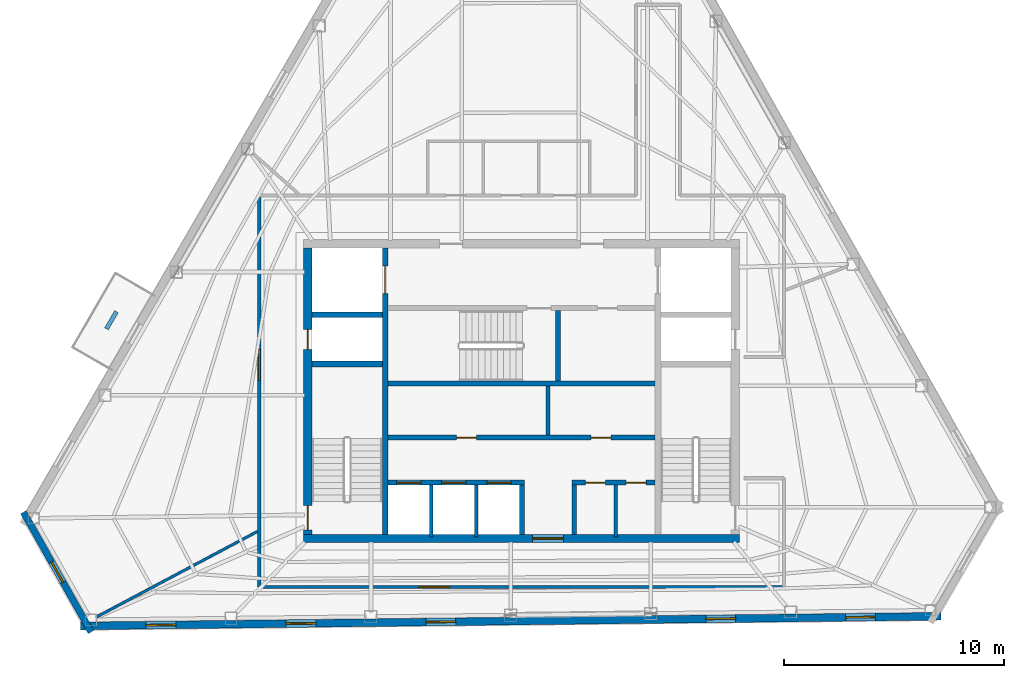
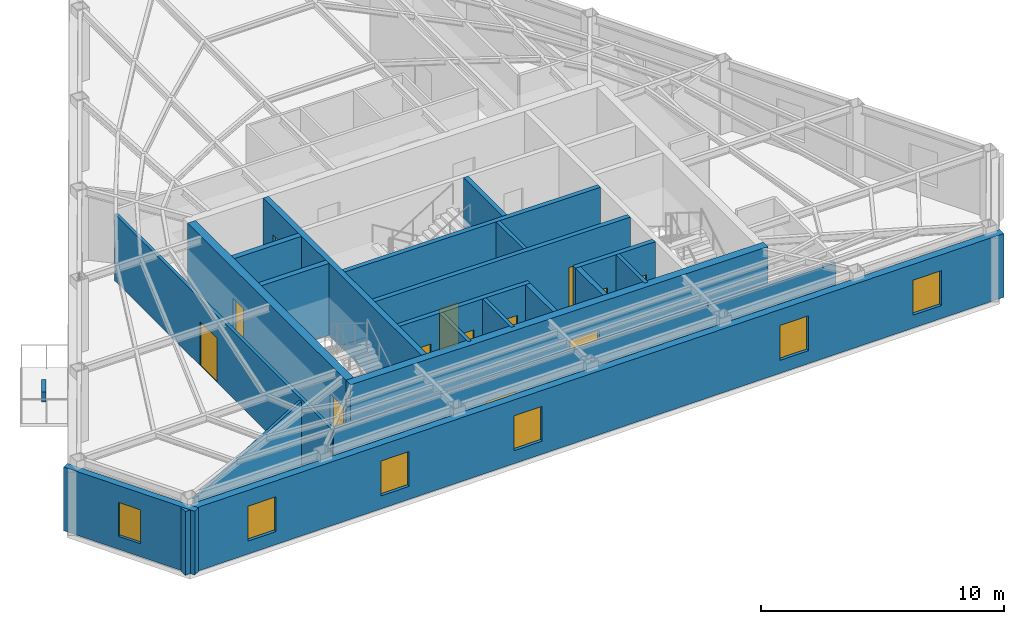
# One storey, part 6 of 10: 22 walls, 13 doors, 6 windows, 19 openings.
"""IFC4 building model written with IfcOpenShell, lengths in metres."""

from ifc_helpers import new_model, si_unit, direction, frame, frame_2d, origin, place, context, subcontext, project, spatial, rectangle, extrude, material, layer, layer_set, type_object, element, fill, save


model = new_model("IFC4")

# Units and contexts
model_context = context("Model", 3, precision=1e-05, world=origin(), true_north=direction((0.0, 1.0)))
body_context = subcontext(model_context, "Body", "Model", "MODEL_VIEW")
ifc_project = project(units=[si_unit("LENGTHUNIT", "METRE"), si_unit("AREAUNIT", "SQUARE_METRE"), si_unit("VOLUMEUNIT", "CUBIC_METRE"), si_unit("PLANEANGLEUNIT", "RADIAN"), si_unit("MASSUNIT", "GRAM", prefix="KILO")], contexts=[model_context])

# Site, building, storey
site_placement = place(None, origin())
site = spatial("IfcSite", under=ifc_project, at=site_placement, CompositionType="ELEMENT")
building_placement = place(site_placement, origin())
building = spatial("IfcBuilding", under=site, at=building_placement, Name="Kavelnor Concourse Tower", CompositionType="ELEMENT")
storey_placement = place(building_placement, frame((0.0, 0.0, 293.39990234375)))
storey = spatial("IfcBuildingStorey", under=building, at=storey_placement, Name="L74", CompositionType="ELEMENT", Elevation=293.39990234375)

# Wall, opening, door
ifc_material_1 = material(Name="Concrete C50/60", Category="concrete")
ifc_layer_1 = layer(ifc_material_1, 0.3798828125, Name="Concrete C50/60")
ifc_layer_set_1 = layer_set([ifc_layer_1], Name="Concrete C50/60")
wall_type_1 = type_object("IfcWallType", Name="WL-CORE-Z4-380", PredefinedType="SOLIDWALL", material=ifc_layer_set_1)
wall_1_placement = place(storey_placement, frame((28.10009765625, 9.409912109375, 0.0), z_axis=(0.0, 0.0, 1.0), x_axis=(1.0, 0.0, 0.0)))
wall_1 = element("IfcWall", 1, at=wall_1_placement, inside=storey, type_object=wall_type_1, Name="L74 Central Core South Shear Wall", PredefinedType="SOLIDWALL", context=body_context, shape_type="SweptSolid", body=[
    extrude(rectangle(XDim=19.7998046875, YDim=0.3798828125, at=frame_2d((9.89990234375, 0.0))), origin(), (0.0, 0.0, 1.0), 3.610107421875),
])
opening_1_placement = place(wall_1_placement, frame((10.39990234375, 0.0, 0.0)))
opening_1 = element("IfcOpeningElement", 2, at=opening_1_placement, cuts=wall_1, Name="Opening SD-140", PredefinedType="OPENING", context=body_context, shape_type="SweptSolid", body=[
    extrude(rectangle(XDim=1.39990234375, YDim=2.199951171875, at=frame_2d((0.699951171875, 1.10009765625))), frame((0.0, 0.199951171875, 0.0), z_axis=(0.0, -1.0, 0.0), x_axis=(1.0, 0.0, 0.0)), (0.0, 0.0, 1.0), 0.39990234375),
])
ifc_material_2 = material(Name="Solid-core hardwood timber", Category="wood")
door_type_1 = type_object("IfcDoorType", Name="DR-SUITE-ENTRY-1400", OperationType="NOTDEFINED", PredefinedType="DOOR", material=ifc_material_2)
door_1_placement = place(opening_1_placement, origin())
door_1 = element("IfcDoor", 3, at=door_1_placement, inside=storey, type_object=door_type_1, Name="L74 Passenger Lift Lobby Entry Door", OperationType="SINGLE_SWING_LEFT", OverallHeight=2.199951171875, OverallWidth=1.39990234375, PredefinedType="DOOR", context=body_context, shape_type="SweptSolid", body=[
    extrude(rectangle(XDim=1.39990234375, YDim=2.199951171875, at=frame_2d((0.699951171875, 1.10009765625))), frame((0.0, 0.02490234375, 0.0), z_axis=(0.0, -1.0, 0.0), x_axis=(1.0, 0.0, 0.0)), (0.0, 0.0, 1.0), 0.050048828125),
])
fill(opening_1, door_1)

# Wall, openings, doors
wall_2_placement = place(storey_placement, frame((28.2900390625, 9.60009765625, 0.0), z_axis=(0.0, 0.0, 1.0), x_axis=(0.0, 1.0, 0.0)))
wall_2 = element("IfcWall", 4, at=wall_2_placement, inside=storey, type_object=wall_type_1, Name="L74 Central Core West Shear Wall", PredefinedType="SOLIDWALL", context=body_context, shape_type="SweptSolid", body=[
    extrude(rectangle(XDim=13.0, YDim=0.3798828125, at=frame_2d((6.5, 0.0))), origin(), (0.0, 0.0, 1.0), 3.610107421875),
])
opening_2_placement = place(wall_2_placement, frame((0.199951171875, 0.0, 0.0)))
opening_2 = element("IfcOpeningElement", 5, at=opening_2_placement, cuts=wall_2, Name="Opening FD-110", PredefinedType="OPENING", context=body_context, shape_type="SweptSolid", body=[
    extrude(rectangle(XDim=1.10009765625, YDim=2.14990234375, at=frame_2d((0.550048828125, 1.074951171875))), frame((0.0, 0.199951171875, 0.0), z_axis=(0.0, -1.0, 0.0), x_axis=(1.0, 0.0, 0.0)), (0.0, 0.0, 1.0), 0.39990234375),
])
opening_3_placement = place(wall_2_placement, frame((8.39990234375, 0.0, 0.0)))
opening_3 = element("IfcOpeningElement", 6, at=opening_3_placement, cuts=wall_2, Name="Opening FD-090", PredefinedType="OPENING", context=body_context, shape_type="SweptSolid", body=[
    extrude(rectangle(XDim=0.89990234375, YDim=2.10009765625, at=frame_2d((0.449951171875, 1.050048828125))), frame((0.0, 0.199951171875, 0.0), z_axis=(0.0, -1.0, 0.0), x_axis=(1.0, 0.0, 0.0)), (0.0, 0.0, 1.0), 0.39990234375),
])
ifc_material_3 = material(Name="Steel Grade 350", Category="steel")
door_type_2 = type_object("IfcDoorType", Name="DR-RISER-FIRE-900", OperationType="NOTDEFINED", PredefinedType="DOOR", material=ifc_material_3)
door_2_placement = place(opening_3_placement, origin())
door_2 = element("IfcDoor", 7, at=door_2_placement, inside=storey, type_object=door_type_2, Name="L74 West Riser Access Door", OperationType="SINGLE_SWING_RIGHT", OverallHeight=2.10009765625, OverallWidth=0.89990234375, PredefinedType="DOOR", context=body_context, shape_type="SweptSolid", body=[
    extrude(rectangle(XDim=0.89990234375, YDim=2.10009765625, at=frame_2d((0.449951171875, 1.050048828125))), frame((0.0, 0.02490234375, 0.0), z_axis=(0.0, -1.0, 0.0), x_axis=(1.0, 0.0, 0.0)), (0.0, 0.0, 1.0), 0.050048828125),
])
fill(opening_3, door_2)
door_type_3 = type_object("IfcDoorType", Name="DR-STAIR-FIRE-1100", OperationType="NOTDEFINED", PredefinedType="DOOR", material=ifc_material_3)
door_3_placement = place(opening_2_placement, origin())
door_3 = element("IfcDoor", 8, at=door_3_placement, inside=storey, type_object=door_type_3, Name="L74 Stair ST1 Fire Door", OperationType="SINGLE_SWING_LEFT", OverallHeight=2.14990234375, OverallWidth=1.10009765625, PredefinedType="DOOR", context=body_context, shape_type="SweptSolid", body=[
    extrude(rectangle(XDim=1.10009765625, YDim=2.14990234375, at=frame_2d((0.550048828125, 1.074951171875))), frame((0.0, 0.02490234375, 0.0), z_axis=(0.0, -1.0, 0.0), x_axis=(1.0, 0.0, 0.0)), (0.0, 0.0, 1.0), 0.050048828125),
])
fill(opening_2, door_3)

# Wall, opening, window
ifc_material_4 = material(Name="Buff ironspot clay face brick masonry", Category="masonry")
ifc_layer_2 = layer(ifc_material_4, 0.300048828125, Name="Buff ironspot clay face brick masonry")
ifc_layer_set_2 = layer_set([ifc_layer_2], Name="Buff ironspot clay face brick masonry")
wall_type_2 = type_object("IfcWallType", Name="WL-EXT-BUFF-BRICK-FOLD-300", PredefinedType="STANDARD", material=ifc_layer_set_2)
wall_3_placement = place(storey_placement, frame((18.456787109375, 5.162109375, 0.0), z_axis=(0.0, 0.0, 1.0), x_axis=(-0.491610610245, 0.870815139909, 0.0)))
wall_3 = element("IfcWall", 9, at=wall_3_placement, inside=storey, type_object=wall_type_2, Name="L74 Exterior Brick Facade Wall E2", PredefinedType="STANDARD", context=body_context, shape_type="SweptSolid", body=[
    extrude(rectangle(XDim=6.2509765625, YDim=0.300048828125, at=frame_2d((3.12548828125, 0.0))), origin(), (0.0, 0.0, 1.0), 3.196044921875),
])
opening_4_placement = place(wall_3_placement, frame((2.600341796875, 0.0, 0.64990234375)))
opening_4 = element("IfcOpeningElement", 10, at=opening_4_placement, cuts=wall_3, Name="Opening W-06", PredefinedType="OPENING", context=body_context, shape_type="SweptSolid", body=[
    extrude(rectangle(XDim=1.050048828125, YDim=1.699951171875, at=frame_2d((0.52490234375, 0.85009765625))), frame((0.0, 0.16015625, 0.0), z_axis=(0.0, -1.0, 0.0), x_axis=(1.0, 0.0, 0.0)), (0.0, 0.0, 1.0), 0.320068359375),
])
ifc_material_5 = material(Name="Double low-E argon insulated glazing", Category="glass")
window_type_1 = type_object("IfcWindowType", Name="WIN-FOLD-1050", PartitioningType="SINGLE_PANEL", PredefinedType="WINDOW", material=ifc_material_5)
window_1_placement = place(opening_4_placement, origin())
window_1 = element("IfcWindow", 11, at=window_1_placement, inside=storey, type_object=window_type_1, Name="L74 Chamfer-Fold Facet Window C1", OverallHeight=1.699951171875, OverallWidth=1.050048828125, PartitioningType="SINGLE_PANEL", PredefinedType="WINDOW", context=body_context, shape_type="SweptSolid", body=[
    extrude(rectangle(XDim=1.050048828125, YDim=1.699951171875, at=frame_2d((0.52490234375, 0.85009765625))), frame((0.0, 0.030029296875, 0.0), z_axis=(0.0, -1.0, 0.0), x_axis=(1.0, 0.0, 0.0)), (0.0, 0.0, 1.0), 0.06005859375),
])
fill(opening_4, window_1)

# Wall, openings, windows
ifc_material_6 = material(Name="Red-ochre clay face brick masonry", Category="masonry")
ifc_layer_3 = layer(ifc_material_6, 0.35009765625, Name="Red-ochre clay face brick masonry")
ifc_layer_set_3 = layer_set([ifc_layer_3], Name="Red-ochre clay face brick masonry")
wall_type_3 = type_object("IfcWallType", Name="WL-EXT-RED-BRICK-PIER-350", PredefinedType="STANDARD", material=ifc_layer_set_3)
wall_4_placement = place(storey_placement, frame((57.04248046875, 5.879150390625, 0.0), z_axis=(0.0, 0.0, 1.0), x_axis=(-0.999937026894, -0.011222399347, 0.0)))
wall_4 = element("IfcWall", 12, at=wall_4_placement, inside=storey, type_object=wall_type_3, Name="L74 Exterior Brick Facade Wall E3", PredefinedType="STANDARD", context=body_context, shape_type="SweptSolid", body=[
    extrude(rectangle(XDim=39.071533203125, YDim=0.35009765625, at=frame_2d((19.53564453125, 0.0))), origin(), (0.0, 0.0, 1.0), 3.196044921875),
])
opening_5_placement = place(wall_4_placement, frame((34.736572265625, 0.0, 0.64990234375)))
opening_5 = element("IfcOpeningElement", 13, at=opening_5_placement, cuts=wall_4, Name="Opening W-04", PredefinedType="OPENING", context=body_context, shape_type="SweptSolid", body=[
    extrude(rectangle(XDim=1.35009765625, YDim=1.75, at=frame_2d((0.675048828125, 0.875))), frame((0.0, 0.18505859375, 0.0), z_axis=(0.0, -1.0, 0.0), x_axis=(1.0, 0.0, 0.0)), (0.0, 0.0, 1.0), 0.3701171875),
])
opening_6_placement = place(wall_4_placement, frame((28.384033203125, 0.0, 0.64990234375)))
opening_6 = element("IfcOpeningElement", 14, at=opening_6_placement, cuts=wall_4, Name="Opening W-04", PredefinedType="OPENING", context=body_context, shape_type="SweptSolid", body=[
    extrude(rectangle(XDim=1.35009765625, YDim=1.75, at=frame_2d((0.675048828125, 0.875))), frame((0.0, 0.18505859375, 0.0), z_axis=(0.0, -1.0, 0.0), x_axis=(1.0, 0.0, 0.0)), (0.0, 0.0, 1.0), 0.3701171875),
])
opening_7_placement = place(wall_4_placement, frame((22.031494140625, 0.0, 0.64990234375)))
opening_7 = element("IfcOpeningElement", 15, at=opening_7_placement, cuts=wall_4, Name="Opening W-04", PredefinedType="OPENING", context=body_context, shape_type="SweptSolid", body=[
    extrude(rectangle(XDim=1.35009765625, YDim=1.75, at=frame_2d((0.675048828125, 0.875))), frame((0.0, 0.18505859375, 0.0), z_axis=(0.0, -1.0, 0.0), x_axis=(1.0, 0.0, 0.0)), (0.0, 0.0, 1.0), 0.3701171875),
])
opening_8_placement = place(wall_4_placement, frame((9.32666015625, 0.0, 0.64990234375)))
opening_8 = element("IfcOpeningElement", 16, at=opening_8_placement, cuts=wall_4, Name="Opening W-04", PredefinedType="OPENING", context=body_context, shape_type="SweptSolid", body=[
    extrude(rectangle(XDim=1.35009765625, YDim=1.75, at=frame_2d((0.675048828125, 0.875))), frame((0.0, 0.18505859375, 0.0), z_axis=(0.0, -1.0, 0.0), x_axis=(1.0, 0.0, 0.0)), (0.0, 0.0, 1.0), 0.3701171875),
])
opening_9_placement = place(wall_4_placement, frame((2.974365234375, 0.0, 0.64990234375)))
opening_9 = element("IfcOpeningElement", 17, at=opening_9_placement, cuts=wall_4, Name="Opening W-04", PredefinedType="OPENING", context=body_context, shape_type="SweptSolid", body=[
    extrude(rectangle(XDim=1.35009765625, YDim=1.75, at=frame_2d((0.675048828125, 0.875))), frame((0.0, 0.18505859375, 0.0), z_axis=(0.0, -1.0, 0.0), x_axis=(1.0, 0.0, 0.0)), (0.0, 0.0, 1.0), 0.3701171875),
])
window_type_2 = type_object("IfcWindowType", Name="WIN-PIER-Z4-1350", PartitioningType="SINGLE_PANEL", PredefinedType="WINDOW", material=ifc_material_5)
window_2_placement = place(opening_5_placement, origin())
window_2 = element("IfcWindow", 18, at=window_2_placement, inside=storey, type_object=window_type_2, Name="L74 Deep-Set Brick Pier Window F1-B0", OverallHeight=1.75, OverallWidth=1.35009765625, PartitioningType="SINGLE_PANEL", PredefinedType="WINDOW", context=body_context, shape_type="SweptSolid", body=[
    extrude(rectangle(XDim=1.35009765625, YDim=1.75, at=frame_2d((0.675048828125, 0.875))), frame((0.0, 0.030029296875, 0.0), z_axis=(0.0, -1.0, 0.0), x_axis=(1.0, 0.0, 0.0)), (0.0, 0.0, 1.0), 0.06005859375),
])
fill(opening_5, window_2)
window_3_placement = place(opening_6_placement, origin())
window_3 = element("IfcWindow", 19, at=window_3_placement, inside=storey, type_object=window_type_2, Name="L74 Deep-Set Brick Pier Window F1-B1", OverallHeight=1.75, OverallWidth=1.35009765625, PartitioningType="SINGLE_PANEL", PredefinedType="WINDOW", context=body_context, shape_type="SweptSolid", body=[
    extrude(rectangle(XDim=1.35009765625, YDim=1.75, at=frame_2d((0.675048828125, 0.875))), frame((0.0, 0.030029296875, 0.0), z_axis=(0.0, -1.0, 0.0), x_axis=(1.0, 0.0, 0.0)), (0.0, 0.0, 1.0), 0.06005859375),
])
fill(opening_6, window_3)
window_4_placement = place(opening_7_placement, origin())
window_4 = element("IfcWindow", 20, at=window_4_placement, inside=storey, type_object=window_type_2, Name="L74 Deep-Set Brick Pier Window F1-B2", OverallHeight=1.75, OverallWidth=1.35009765625, PartitioningType="SINGLE_PANEL", PredefinedType="WINDOW", context=body_context, shape_type="SweptSolid", body=[
    extrude(rectangle(XDim=1.35009765625, YDim=1.75, at=frame_2d((0.675048828125, 0.875))), frame((0.0, 0.030029296875, 0.0), z_axis=(0.0, -1.0, 0.0), x_axis=(1.0, 0.0, 0.0)), (0.0, 0.0, 1.0), 0.06005859375),
])
fill(opening_7, window_4)
window_5_placement = place(opening_8_placement, origin())
window_5 = element("IfcWindow", 21, at=window_5_placement, inside=storey, type_object=window_type_2, Name="L74 Deep-Set Brick Pier Window F1-B4", OverallHeight=1.75, OverallWidth=1.35009765625, PartitioningType="SINGLE_PANEL", PredefinedType="WINDOW", context=body_context, shape_type="SweptSolid", body=[
    extrude(rectangle(XDim=1.35009765625, YDim=1.75, at=frame_2d((0.675048828125, 0.875))), frame((0.0, 0.030029296875, 0.0), z_axis=(0.0, -1.0, 0.0), x_axis=(1.0, 0.0, 0.0)), (0.0, 0.0, 1.0), 0.06005859375),
])
fill(opening_8, window_5)
window_6_placement = place(opening_9_placement, origin())
window_6 = element("IfcWindow", 22, at=window_6_placement, inside=storey, type_object=window_type_2, Name="L74 Deep-Set Brick Pier Window F1-B5", OverallHeight=1.75, OverallWidth=1.35009765625, PartitioningType="SINGLE_PANEL", PredefinedType="WINDOW", context=body_context, shape_type="SweptSolid", body=[
    extrude(rectangle(XDim=1.35009765625, YDim=1.75, at=frame_2d((0.675048828125, 0.875))), frame((0.0, 0.030029296875, 0.0), z_axis=(0.0, -1.0, 0.0), x_axis=(1.0, 0.0, 0.0)), (0.0, 0.0, 1.0), 0.06005859375),
])
fill(opening_9, window_6)

# Wall, opening, door
ifc_material_7 = material(Name="Gypsum plasterboard on light-gauge steel studs", Category="steel")
ifc_layer_4 = layer(ifc_material_7, 0.14501953125, Name="Gypsum plasterboard on light-gauge steel studs")
ifc_layer_set_4 = layer_set([ifc_layer_4], Name="Gypsum plasterboard on light-gauge steel studs")
wall_type_4 = type_object("IfcWallType", Name="WL-INT-CORR-145", PredefinedType="PARTITIONING", material=ifc_layer_set_4)
wall_5_placement = place(storey_placement, frame((49.909912109375, 7.2099609375, 0.0), z_axis=(0.0, 0.0, 1.0), x_axis=(-1.0, 0.0, 0.0)))
wall_5 = element("IfcWall", 23, at=wall_5_placement, inside=storey, type_object=wall_type_4, Name="L74 Corridor Wall WL-L74-CR-09", PredefinedType="PARTITIONING", context=body_context, shape_type="SweptSolid", body=[
    extrude(rectangle(XDim=23.81982421875, YDim=0.14501953125, at=frame_2d((11.909912109375, 0.0))), origin(), (0.0, 0.0, 1.0), 3.34912109375),
])
opening_10_placement = place(wall_5_placement, frame((15.169921875, 0.0, 0.0)))
opening_10 = element("IfcOpeningElement", 24, at=opening_10_placement, cuts=wall_5, Name="Opening SD-140", PredefinedType="OPENING", context=body_context, shape_type="SweptSolid", body=[
    extrude(rectangle(XDim=1.39990234375, YDim=2.199951171875, at=frame_2d((0.699951171875, 1.10009765625))), frame((0.0, 0.08251953125, 0.0), z_axis=(0.0, -1.0, 0.0), x_axis=(1.0, 0.0, 0.0)), (0.0, 0.0, 1.0), 0.1650390625),
])
door_4_placement = place(opening_10_placement, origin())
door_4 = element("IfcDoor", 25, at=door_4_placement, inside=storey, type_object=door_type_1, Name="L74 Workplace Open Office 03 Door", OperationType="SINGLE_SWING_RIGHT", OverallHeight=2.199951171875, OverallWidth=1.39990234375, PredefinedType="DOOR", context=body_context, shape_type="SweptSolid", body=[
    extrude(rectangle(XDim=1.39990234375, YDim=2.199951171875, at=frame_2d((0.699951171875, 1.10009765625))), frame((0.0, 0.02490234375, 0.0), z_axis=(0.0, -1.0, 0.0), x_axis=(1.0, 0.0, 0.0)), (0.0, 0.0, 1.0), 0.050048828125),
])
fill(opening_10, door_4)

wall_6_placement = place(storey_placement, frame((26.090087890625, 7.2099609375, 0.0), z_axis=(0.0, 0.0, 1.0), x_axis=(0.0, 1.0, 0.0)))
wall_6 = element("IfcWall", 26, at=wall_6_placement, inside=storey, type_object=wall_type_4, Name="L74 Corridor Wall WL-L74-CR-10", PredefinedType="PARTITIONING", context=body_context, shape_type="SweptSolid", body=[
    extrude(rectangle(XDim=17.780029296875, YDim=0.14501953125, at=frame_2d((8.89013671875, 0.0))), origin(), (0.0, 0.0, 1.0), 3.34912109375),
])
opening_11_placement = place(wall_6_placement, frame((9.374267578125, 0.0, 0.0)))
opening_11 = element("IfcOpeningElement", 27, at=opening_11_placement, cuts=wall_6, Name="Opening SD-140", PredefinedType="OPENING", context=body_context, shape_type="SweptSolid", body=[
    extrude(rectangle(XDim=1.39990234375, YDim=2.199951171875, at=frame_2d((0.699951171875, 1.10009765625))), frame((0.0, 0.08251953125, 0.0), z_axis=(0.0, -1.0, 0.0), x_axis=(1.0, 0.0, 0.0)), (0.0, 0.0, 1.0), 0.1650390625),
])
door_5_placement = place(opening_11_placement, origin())
door_5 = element("IfcDoor", 28, at=door_5_placement, inside=storey, type_object=door_type_1, Name="L74 Tenant Bookstore Retail Shop 02 Door", OperationType="SINGLE_SWING_LEFT", OverallHeight=2.199951171875, OverallWidth=1.39990234375, PredefinedType="DOOR", context=body_context, shape_type="SweptSolid", body=[
    extrude(rectangle(XDim=1.39990234375, YDim=2.199951171875, at=frame_2d((0.699951171875, 1.10009765625))), frame((0.0, 0.02490234375, 0.0), z_axis=(0.0, -1.0, 0.0), x_axis=(1.0, 0.0, 0.0)), (0.0, 0.0, 1.0), 0.050048828125),
])
fill(opening_11, door_5)

# Walls
ifc_layer_5 = layer(ifc_material_7, 0.1650390625, Name="Gypsum plasterboard on light-gauge steel studs")
ifc_layer_set_5 = layer_set([ifc_layer_5], Name="Gypsum plasterboard on light-gauge steel studs")
wall_type_5 = type_object("IfcWallType", Name="WL-INT-FIRE-165", PredefinedType="PARTITIONING", material=ifc_layer_set_5)
for number, where, z_axis, x_axis, name in (
    (29, (33.89990234375, 9.489990234375, 0.0), (0.0, 0.0, 1.0), (0.0, 1.0, 0.0), "L74 Lift Shaft Divider LP7"),
    (30, (35.949951171875, 9.489990234375, 0.0), (0.0, 0.0, 1.0), (0.0, 1.0, 0.0), "L74 Lift Shaft Divider LP8"),
):
    element("IfcWall", number, at=place(storey_placement, frame(where, z_axis=z_axis, x_axis=x_axis)), inside=storey, type_object=wall_type_5, Name=name, PredefinedType="PARTITIONING", context=body_context, shape_type="SweptSolid", body=[
        extrude(rectangle(XDim=2.35009765625, YDim=0.1650390625, at=frame_2d((1.175048828125, 0.0))), origin(), (0.0, 0.0, 1.0), 3.610107421875),
    ])
wall_7_placement = place(storey_placement, frame((39.199951171875, 14.10009765625, 0.0), z_axis=(0.0, 0.0, 1.0), x_axis=(0.0, 1.0, 0.0)))
element("IfcWall", 31, at=wall_7_placement, inside=storey, type_object=wall_type_5, Name="L74 Reclaimed Core Partition C", PredefinedType="PARTITIONING", context=body_context, shape_type="SweptSolid", body=[
    extrude(rectangle(XDim=2.239990234375, YDim=0.1650390625, at=frame_2d((1.1201171875, 0.0))), origin(), (0.0, 0.0, 1.0), 3.610107421875),
])
wall_8_placement = place(storey_placement, frame((42.280029296875, 9.489990234375, 0.0), z_axis=(0.0, 0.0, 1.0), x_axis=(0.0, 1.0, 0.0)))
element("IfcWall", 32, at=wall_8_placement, inside=storey, type_object=wall_type_5, Name="L74 Core Support Divider", PredefinedType="PARTITIONING", context=body_context, shape_type="SweptSolid", body=[
    extrude(rectangle(XDim=2.35009765625, YDim=0.1650390625, at=frame_2d((1.175048828125, 0.0))), origin(), (0.0, 0.0, 1.0), 3.610107421875),
])
ifc_layer_6 = layer(ifc_material_7, 0.125, Name="Gypsum plasterboard on light-gauge steel studs")
ifc_layer_set_6 = layer_set([ifc_layer_6], Name="Gypsum plasterboard on light-gauge steel studs")
wall_type_6 = type_object("IfcWallType", Name="WL-INT-SUITE-125", PredefinedType="PARTITIONING", material=ifc_layer_set_6)
wall_9_placement = place(storey_placement, frame((26.009521484375, 9.72998046875, 0.0), z_axis=(0.0, 0.0, 1.0), x_axis=(-0.883119167028, -0.469148736359, 0.0)))
element("IfcWall", 33, at=wall_9_placement, inside=storey, type_object=wall_type_6, Name="L74 Radial Suite Partition 03", PredefinedType="PARTITIONING", context=body_context, shape_type="SweptSolid", body=[
    extrude(rectangle(XDim=8.251953125, YDim=0.125, at=frame_2d((4.1259765625, 0.0))), origin(), (0.0, 0.0, 1.0), 3.24609375),
])
ifc_material_8 = material(Name="Architectural precast planter concrete C40/50", Category="concrete")
ifc_layer_7 = layer(ifc_material_8, 0.18994140625, Name="Architectural precast planter concrete C40/50")
ifc_layer_set_7 = layer_set([ifc_layer_7], Name="Architectural precast planter concrete C40/50")
wall_type_7 = type_object("IfcWallType", Name="WL-PLANTER-KERB-190", PredefinedType="USERDEFINED", material=ifc_layer_set_7)
wall_10_placement = place(storey_placement, frame((19.60888671875, 19.71044921875, 0.0), z_axis=(0.0, 0.0, 1.0), x_axis=(-0.501271486133, -0.865290065348, 0.0)))
element("IfcWall", 34, at=wall_10_placement, inside=storey, type_object=wall_type_7, Name="L74 Tree Balcony 2 Tree Planter Kerb", ObjectType="PLANTER", PredefinedType="USERDEFINED", context=body_context, shape_type="SweptSolid", body=[
    extrude(rectangle(XDim=0.900146484375, YDim=0.18994140625, at=frame_2d((0.4501953125, 0.0))), origin(), (0.0, 0.0, 1.0), 0.5),
])
ifc_layer_8 = layer(ifc_material_1, 0.219970703125, Name="Concrete C50/60")
ifc_layer_set_8 = layer_set([ifc_layer_8], Name="Concrete C50/60")
wall_type_8 = type_object("IfcWallType", Name="WL-SHAFT-220", PredefinedType="SOLIDWALL", material=ifc_layer_set_8)
wall_11_placement = place(storey_placement, frame((31.93994140625, 16.449951171875, 0.0), z_axis=(0.0, 0.0, 1.0), x_axis=(1.0, 0.0, 0.0)))
element("IfcWall", 35, at=wall_11_placement, inside=storey, type_object=wall_type_8, Name="L74 Stair ST3 South Core Wall", PredefinedType="SOLIDWALL", context=body_context, shape_type="SweptSolid", body=[
    extrude(rectangle(XDim=12.1201171875, YDim=0.219970703125, at=frame_2d((6.06005859375, 0.0))), origin(), (0.0, 0.0, 1.0), 3.610107421875),
])
wall_12_placement = place(storey_placement, frame((39.64990234375, 16.56005859375, 0.0), z_axis=(0.0, 0.0, 1.0), x_axis=(0.0, 1.0, 0.0)))
element("IfcWall", 36, at=wall_12_placement, inside=storey, type_object=wall_type_8, Name="L74 Stair ST3 East Core Wall", PredefinedType="SOLIDWALL", context=body_context, shape_type="SweptSolid", body=[
    extrude(rectangle(XDim=3.199951171875, YDim=0.219970703125, at=frame_2d((1.60009765625, 0.0))), origin(), (0.0, 0.0, 1.0), 3.610107421875),
])

# Wall, openings, doors
wall_13_placement = place(storey_placement, frame((31.93994140625, 13.989990234375, 0.0), z_axis=(0.0, 0.0, 1.0), x_axis=(1.0, 0.0, 0.0)))
wall_13 = element("IfcWall", 37, at=wall_13_placement, inside=storey, type_object=wall_type_8, Name="L74 North Lift Row Shaft Wall", PredefinedType="SOLIDWALL", context=body_context, shape_type="SweptSolid", body=[
    extrude(rectangle(XDim=12.1201171875, YDim=0.219970703125, at=frame_2d((6.06005859375, 0.0))), origin(), (0.0, 0.0, 1.0), 3.610107421875),
])
opening_12_placement = place(wall_13_placement, frame((3.110107421875, 0.0, 0.0)))
opening_12 = element("IfcOpeningElement", 38, at=opening_12_placement, cuts=wall_13, Name="Opening FD-090", PredefinedType="OPENING", context=body_context, shape_type="SweptSolid", body=[
    extrude(rectangle(XDim=0.89990234375, YDim=2.10009765625, at=frame_2d((0.449951171875, 1.050048828125))), frame((0.0, 0.1201171875, 0.0), z_axis=(0.0, -1.0, 0.0), x_axis=(1.0, 0.0, 0.0)), (0.0, 0.0, 1.0), 0.239990234375),
])
opening_13_placement = place(wall_13_placement, frame((9.2099609375, 0.0, 0.0)))
opening_13 = element("IfcOpeningElement", 39, at=opening_13_placement, cuts=wall_13, Name="Opening FD-090", PredefinedType="OPENING", context=body_context, shape_type="SweptSolid", body=[
    extrude(rectangle(XDim=0.89990234375, YDim=2.10009765625, at=frame_2d((0.449951171875, 1.050048828125))), frame((0.0, 0.1201171875, 0.0), z_axis=(0.0, -1.0, 0.0), x_axis=(1.0, 0.0, 0.0)), (0.0, 0.0, 1.0), 0.239990234375),
])
door_6_placement = place(opening_12_placement, origin())
door_6 = element("IfcDoor", 40, at=door_6_placement, inside=storey, type_object=door_type_2, Name="L74 Lounge Pantry Door", OperationType="SINGLE_SWING_LEFT", OverallHeight=2.10009765625, OverallWidth=0.89990234375, PredefinedType="DOOR", context=body_context, shape_type="SweptSolid", body=[
    extrude(rectangle(XDim=0.89990234375, YDim=2.10009765625, at=frame_2d((0.449951171875, 1.050048828125))), frame((0.0, 0.02490234375, 0.0), z_axis=(0.0, -1.0, 0.0), x_axis=(1.0, 0.0, 0.0)), (0.0, 0.0, 1.0), 0.050048828125),
])
fill(opening_12, door_6)
door_7_placement = place(opening_13_placement, origin())
door_7 = element("IfcDoor", 41, at=door_7_placement, inside=storey, type_object=door_type_2, Name="L74 Facilities Store Door", OperationType="SINGLE_SWING_RIGHT", OverallHeight=2.10009765625, OverallWidth=0.89990234375, PredefinedType="DOOR", context=body_context, shape_type="SweptSolid", body=[
    extrude(rectangle(XDim=0.89990234375, YDim=2.10009765625, at=frame_2d((0.449951171875, 1.050048828125))), frame((0.0, 0.02490234375, 0.0), z_axis=(0.0, -1.0, 0.0), x_axis=(1.0, 0.0, 0.0)), (0.0, 0.0, 1.0), 0.050048828125),
])
fill(opening_13, door_7)

wall_14_placement = place(storey_placement, frame((31.93994140625, 11.949951171875, 0.0), z_axis=(0.0, 0.0, 1.0), x_axis=(1.0, 0.0, 0.0)))
wall_14 = element("IfcWall", 42, at=wall_14_placement, inside=storey, type_object=wall_type_8, Name="L74 High-Rise Lift Bank North Wall", PredefinedType="SOLIDWALL", context=body_context, shape_type="SweptSolid", body=[
    extrude(rectangle(XDim=6.18994140625, YDim=0.219970703125, at=frame_2d((3.094970703125, 0.0))), origin(), (0.0, 0.0, 1.0), 3.610107421875),
])
opening_14_placement = place(wall_14_placement, frame((0.385009765625, 0.0, 0.0)))
opening_14 = element("IfcOpeningElement", 43, at=opening_14_placement, cuts=wall_14, Name="Opening LD-110", PredefinedType="OPENING", context=body_context, shape_type="SweptSolid", body=[
    extrude(rectangle(XDim=1.10009765625, YDim=2.199951171875, at=frame_2d((0.550048828125, 1.10009765625))), frame((0.0, 0.1201171875, 0.0), z_axis=(0.0, -1.0, 0.0), x_axis=(1.0, 0.0, 0.0)), (0.0, 0.0, 1.0), 0.239990234375),
])
opening_15_placement = place(wall_14_placement, frame((2.43505859375, 0.0, 0.0)))
opening_15 = element("IfcOpeningElement", 44, at=opening_15_placement, cuts=wall_14, Name="Opening LD-110", PredefinedType="OPENING", context=body_context, shape_type="SweptSolid", body=[
    extrude(rectangle(XDim=1.10009765625, YDim=2.199951171875, at=frame_2d((0.550048828125, 1.10009765625))), frame((0.0, 0.1201171875, 0.0), z_axis=(0.0, -1.0, 0.0), x_axis=(1.0, 0.0, 0.0)), (0.0, 0.0, 1.0), 0.239990234375),
])
opening_16_placement = place(wall_14_placement, frame((4.485107421875, 0.0, 0.0)))
opening_16 = element("IfcOpeningElement", 45, at=opening_16_placement, cuts=wall_14, Name="Opening LD-110", PredefinedType="OPENING", context=body_context, shape_type="SweptSolid", body=[
    extrude(rectangle(XDim=1.10009765625, YDim=2.199951171875, at=frame_2d((0.550048828125, 1.10009765625))), frame((0.0, 0.1201171875, 0.0), z_axis=(0.0, -1.0, 0.0), x_axis=(1.0, 0.0, 0.0)), (0.0, 0.0, 1.0), 0.239990234375),
])
door_type_4 = type_object("IfcDoorType", Name="DR-LIFT-SLIDING-1100", OperationType="NOTDEFINED", PredefinedType="DOOR", material=ifc_material_3)
door_8_placement = place(opening_14_placement, origin())
door_8 = element("IfcDoor", 46, at=door_8_placement, inside=storey, type_object=door_type_4, Name="L74 Lift LP7 Landing Door", OperationType="DOUBLE_DOOR_SLIDING", OverallHeight=2.199951171875, OverallWidth=1.10009765625, PredefinedType="DOOR", context=body_context, shape_type="SweptSolid", body=[
    extrude(rectangle(XDim=1.10009765625, YDim=2.199951171875, at=frame_2d((0.550048828125, 1.10009765625))), frame((0.0, 0.02490234375, 0.0), z_axis=(0.0, -1.0, 0.0), x_axis=(1.0, 0.0, 0.0)), (0.0, 0.0, 1.0), 0.050048828125),
])
fill(opening_14, door_8)
door_9_placement = place(opening_15_placement, origin())
door_9 = element("IfcDoor", 47, at=door_9_placement, inside=storey, type_object=door_type_4, Name="L74 Lift LP8 Landing Door", OperationType="DOUBLE_DOOR_SLIDING", OverallHeight=2.199951171875, OverallWidth=1.10009765625, PredefinedType="DOOR", context=body_context, shape_type="SweptSolid", body=[
    extrude(rectangle(XDim=1.10009765625, YDim=2.199951171875, at=frame_2d((0.550048828125, 1.10009765625))), frame((0.0, 0.02490234375, 0.0), z_axis=(0.0, -1.0, 0.0), x_axis=(1.0, 0.0, 0.0)), (0.0, 0.0, 1.0), 0.050048828125),
])
fill(opening_15, door_9)
door_10_placement = place(opening_16_placement, origin())
door_10 = element("IfcDoor", 48, at=door_10_placement, inside=storey, type_object=door_type_4, Name="L74 Lift LP9 Landing Door", OperationType="DOUBLE_DOOR_SLIDING", OverallHeight=2.199951171875, OverallWidth=1.10009765625, PredefinedType="DOOR", context=body_context, shape_type="SweptSolid", body=[
    extrude(rectangle(XDim=1.10009765625, YDim=2.199951171875, at=frame_2d((0.550048828125, 1.10009765625))), frame((0.0, 0.02490234375, 0.0), z_axis=(0.0, -1.0, 0.0), x_axis=(1.0, 0.0, 0.0)), (0.0, 0.0, 1.0), 0.050048828125),
])
fill(opening_16, door_10)

wall_15_placement = place(storey_placement, frame((40.280029296875, 11.949951171875, 0.0), z_axis=(0.0, 0.0, 1.0), x_axis=(1.0, 0.0, 0.0)))
wall_15 = element("IfcWall", 49, at=wall_15_placement, inside=storey, type_object=wall_type_8, Name="L74 Core South Support North Wall", PredefinedType="SOLIDWALL", context=body_context, shape_type="SweptSolid", body=[
    extrude(rectangle(XDim=3.780029296875, YDim=0.219970703125, at=frame_2d((1.89013671875, 0.0))), origin(), (0.0, 0.0, 1.0), 3.610107421875),
])
opening_17_placement = place(wall_15_placement, frame((0.6201171875, 0.0, 0.0)))
opening_17 = element("IfcOpeningElement", 50, at=opening_17_placement, cuts=wall_15, Name="Opening FD-090", PredefinedType="OPENING", context=body_context, shape_type="SweptSolid", body=[
    extrude(rectangle(XDim=0.89990234375, YDim=2.10009765625, at=frame_2d((0.449951171875, 1.050048828125))), frame((0.0, 0.1201171875, 0.0), z_axis=(0.0, -1.0, 0.0), x_axis=(1.0, 0.0, 0.0)), (0.0, 0.0, 1.0), 0.239990234375),
])
opening_18_placement = place(wall_15_placement, frame((2.469970703125, 0.0, 0.0)))
opening_18 = element("IfcOpeningElement", 51, at=opening_18_placement, cuts=wall_15, Name="Opening FD-090", PredefinedType="OPENING", context=body_context, shape_type="SweptSolid", body=[
    extrude(rectangle(XDim=0.89990234375, YDim=2.10009765625, at=frame_2d((0.449951171875, 1.050048828125))), frame((0.0, 0.1201171875, 0.0), z_axis=(0.0, -1.0, 0.0), x_axis=(1.0, 0.0, 0.0)), (0.0, 0.0, 1.0), 0.239990234375),
])
door_11_placement = place(opening_17_placement, origin())
door_11 = element("IfcDoor", 52, at=door_11_placement, inside=storey, type_object=door_type_2, Name="L74 Cleaner Cupboard Door", OperationType="SINGLE_SWING_RIGHT", OverallHeight=2.10009765625, OverallWidth=0.89990234375, PredefinedType="DOOR", context=body_context, shape_type="SweptSolid", body=[
    extrude(rectangle(XDim=0.89990234375, YDim=2.10009765625, at=frame_2d((0.449951171875, 1.050048828125))), frame((0.0, 0.02490234375, 0.0), z_axis=(0.0, -1.0, 0.0), x_axis=(1.0, 0.0, 0.0)), (0.0, 0.0, 1.0), 0.050048828125),
])
fill(opening_17, door_11)
door_12_placement = place(opening_18_placement, origin())
door_12 = element("IfcDoor", 53, at=door_12_placement, inside=storey, type_object=door_type_2, Name="L74 Supplies Store Door", OperationType="SINGLE_SWING_LEFT", OverallHeight=2.10009765625, OverallWidth=0.89990234375, PredefinedType="DOOR", context=body_context, shape_type="SweptSolid", body=[
    extrude(rectangle(XDim=0.89990234375, YDim=2.10009765625, at=frame_2d((0.449951171875, 1.050048828125))), frame((0.0, 0.02490234375, 0.0), z_axis=(0.0, -1.0, 0.0), x_axis=(1.0, 0.0, 0.0)), (0.0, 0.0, 1.0), 0.050048828125),
])
fill(opening_18, door_12)

# Walls
for number, where, z_axis, x_axis, name in (
    (54, (38.02001953125, 9.60009765625, 0.0), (0.0, 0.0, 1.0), (0.0, 1.0, 0.0), "L74 Lift Lobby Throat West Wall"),
    (55, (40.389892578125, 9.60009765625, 0.0), (0.0, 0.0, 1.0), (0.0, 1.0, 0.0), "L74 Lift Lobby Throat East Wall"),
):
    element("IfcWall", number, at=place(storey_placement, frame(where, z_axis=z_axis, x_axis=x_axis)), inside=storey, type_object=wall_type_8, Name=name, PredefinedType="SOLIDWALL", context=body_context, shape_type="SweptSolid", body=[
        extrude(rectangle(XDim=2.239990234375, YDim=0.219970703125, at=frame_2d((1.1201171875, 0.0))), origin(), (0.0, 0.0, 1.0), 3.610107421875),
    ])

# Wall, opening, door
ifc_layer_9 = layer(ifc_material_1, 0.260009765625, Name="Concrete C50/60")
ifc_layer_set_9 = layer_set([ifc_layer_9], Name="Concrete C50/60")
wall_type_9 = type_object("IfcWallType", Name="WL-SHAFT-260", PredefinedType="SHEAR", material=ifc_layer_set_9)
wall_16_placement = place(storey_placement, frame((31.81005859375, 9.60009765625, 0.0), z_axis=(0.0, 0.0, 1.0), x_axis=(0.0, 1.0, 0.0)))
wall_16 = element("IfcWall", 56, at=wall_16_placement, inside=storey, type_object=wall_type_9, Name="L74 Core West Wing Shear Wall", PredefinedType="SHEAR", context=body_context, shape_type="SweptSolid", body=[
    extrude(rectangle(XDim=13.0, YDim=0.260009765625, at=frame_2d((6.5, 0.0))), origin(), (0.0, 0.0, 1.0), 3.610107421875),
])
opening_19_placement = place(wall_16_placement, frame((10.925048828125, 0.0, 0.0)))
opening_19 = element("IfcOpeningElement", 57, at=opening_19_placement, cuts=wall_16, Name="Opening LD-125", PredefinedType="OPENING", context=body_context, shape_type="SweptSolid", body=[
    extrude(rectangle(XDim=1.25, YDim=2.25, at=frame_2d((0.625, 1.125))), frame((0.0, 0.14013671875, 0.0), z_axis=(0.0, -1.0, 0.0), x_axis=(1.0, 0.0, 0.0)), (0.0, 0.0, 1.0), 0.280029296875),
])
door_type_5 = type_object("IfcDoorType", Name="DR-LIFT-SLIDING-1250", OperationType="NOTDEFINED", PredefinedType="DOOR", material=ifc_material_3)
door_13_placement = place(opening_19_placement, origin())
door_13 = element("IfcDoor", 58, at=door_13_placement, inside=storey, type_object=door_type_5, Name="L74 Emergency Lift FL1 Landing Door", OperationType="DOUBLE_DOOR_SLIDING", OverallHeight=2.25, OverallWidth=1.25, PredefinedType="DOOR", context=body_context, shape_type="SweptSolid", body=[
    extrude(rectangle(XDim=1.25, YDim=2.25, at=frame_2d((0.625, 1.125))), frame((0.0, 0.02490234375, 0.0), z_axis=(0.0, -1.0, 0.0), x_axis=(1.0, 0.0, 0.0)), (0.0, 0.0, 1.0), 0.050048828125),
])
fill(opening_19, door_13)

# Walls
for number, where, z_axis, x_axis, name in (
    (59, (28.47998046875, 17.330078125, 0.0), (0.0, 0.0, 1.0), (1.0, 0.0, 0.0), "L74 Stair ST1 North Shaft Wall"),
    (60, (28.47998046875, 19.570068359375, 0.0), (0.0, 0.0, 1.0), (1.0, 0.0, 0.0), "L74 Emergency Lift FL1 South Shaft Wall"),
):
    element("IfcWall", number, at=place(storey_placement, frame(where, z_axis=z_axis, x_axis=x_axis)), inside=storey, type_object=wall_type_9, Name=name, PredefinedType="SHEAR", context=body_context, shape_type="SweptSolid", body=[
        extrude(rectangle(XDim=3.199951171875, YDim=0.260009765625, at=frame_2d((1.60009765625, 0.0))), origin(), (0.0, 0.0, 1.0), 3.610107421875),
    ])

save(model, "model.ifc")
